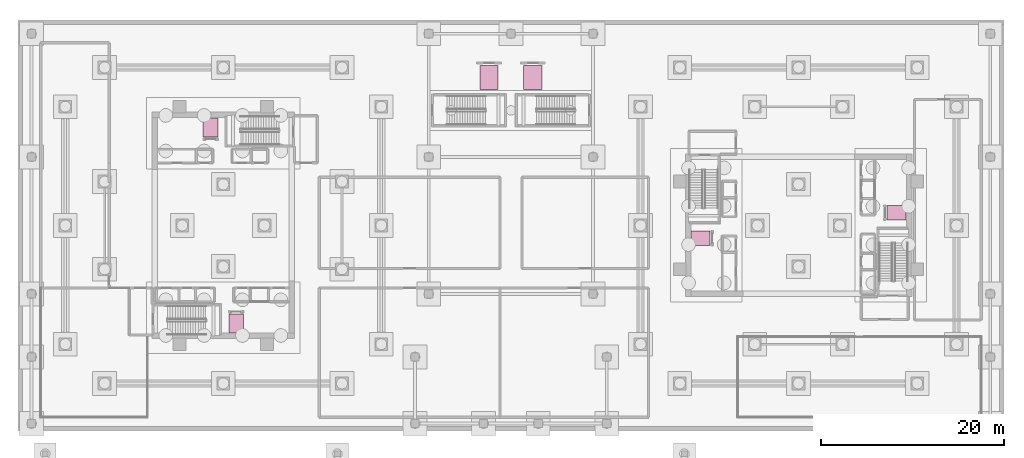
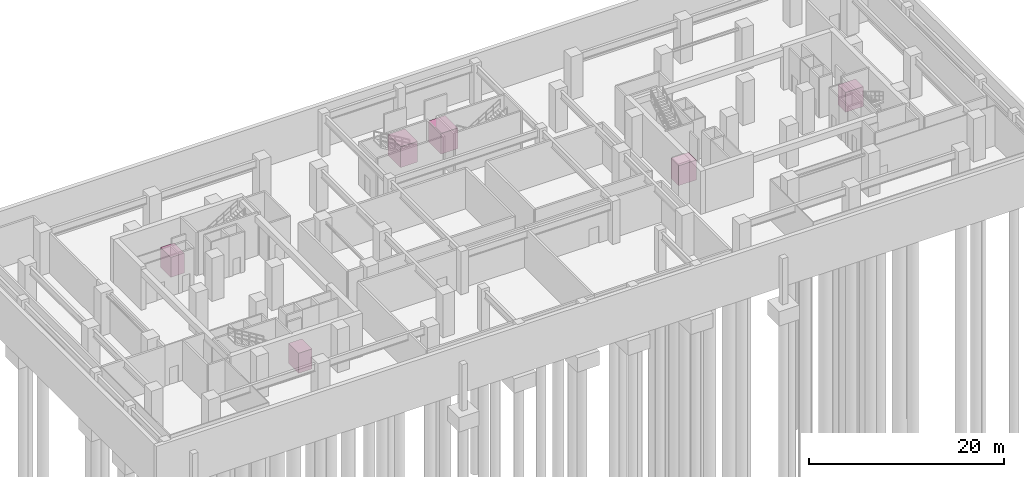
# One storey, part 14 of 14: 6 transport elements.
"""IFC4 building model written with IfcOpenShell, lengths in metres."""

from ifc_helpers import new_model, si_unit, direction, frame, origin, origin_2d, place, context, subcontext, project, spatial, rectangle, extrude, material, type_object, element, save


model = new_model("IFC4")

# Units and contexts
model_context = context("Model", 3, precision=1e-05, world=origin(), true_north=direction((0.0, 1.0)))
body_context = subcontext(model_context, "Body", "Model", "MODEL_VIEW")
ifc_project = project(units=[si_unit("LENGTHUNIT", "METRE"), si_unit("AREAUNIT", "SQUARE_METRE"), si_unit("VOLUMEUNIT", "CUBIC_METRE"), si_unit("PLANEANGLEUNIT", "RADIAN"), si_unit("MASSUNIT", "GRAM", prefix="KILO")], contexts=[model_context])

# Site, building, storey
site_placement = place(None, origin())
site = spatial("IfcSite", under=ifc_project, at=site_placement, CompositionType="ELEMENT")
building_placement = place(site_placement, origin())
building = spatial("IfcBuilding", under=site, at=building_placement, Name="Thornwick Lancets Civic Towers", CompositionType="ELEMENT")
storey_placement = place(building_placement, frame((0.0, 0.0, -5.39990234375)))
storey = spatial("IfcBuildingStorey", under=building, at=storey_placement, Name="B01", CompositionType="ELEMENT", Elevation=-5.39990234375)

# Transport elements
ifc_material_1 = material(Name="Stainless steel S355", Category="steel")
transport_element_type_1 = type_object("IfcTransportElementType", Name="LIFT_FF_1600", PredefinedType="ELEVATOR", material=ifc_material_1)
transport_element_1_placement = place(storey_placement, frame((26.89990234375, 16.27490234375, 0.0), z_axis=(0.0, 0.0, 1.0), x_axis=(1.0, 0.0, 0.0)))
element("IfcTransportElement", 1, at=transport_element_1_placement, inside=storey, type_object=transport_element_type_1, Name="Elevator FL-A1", PredefinedType="ELEVATOR", context=body_context, shape_type="SweptSolid", body=[
    extrude(rectangle(XDim=1.60009765625, YDim=2.10009765625, at=origin_2d()), origin(), (0.0, 0.0, 1.0), 2.5),
])
transport_element_2_placement = place(storey_placement, frame((99.22509765625, 28.39990234375, 0.0), z_axis=(0.0, 0.0, 1.0), x_axis=(1.0, 0.0, 0.0)))
element("IfcTransportElement", 2, at=transport_element_2_placement, inside=storey, type_object=transport_element_type_1, Name="Elevator FL-B1", PredefinedType="ELEVATOR", context=body_context, shape_type="SweptSolid", body=[
    extrude(rectangle(XDim=2.10009765625, YDim=1.60009765625, at=origin_2d()), origin(), (0.0, 0.0, 1.0), 2.5),
])
transport_element_3_placement = place(storey_placement, frame((24.10009765625, 37.72509765625, 0.0), z_axis=(0.0, 0.0, 1.0), x_axis=(1.0, 0.0, 0.0)))
element("IfcTransportElement", 3, at=transport_element_3_placement, inside=storey, type_object=transport_element_type_1, Name="Elevator FL-A2", PredefinedType="ELEVATOR", context=body_context, shape_type="SweptSolid", body=[
    extrude(rectangle(XDim=1.60009765625, YDim=2.10009765625, at=origin_2d()), origin(), (0.0, 0.0, 1.0), 2.5),
])
transport_element_4_placement = place(storey_placement, frame((77.77490234375, 25.60009765625, 0.0), z_axis=(0.0, 0.0, 1.0), x_axis=(1.0, 0.0, 0.0)))
element("IfcTransportElement", 4, at=transport_element_4_placement, inside=storey, type_object=transport_element_type_1, Name="Elevator FL-B2", PredefinedType="ELEVATOR", context=body_context, shape_type="SweptSolid", body=[
    extrude(rectangle(XDim=2.10009765625, YDim=1.60009765625, at=origin_2d()), origin(), (0.0, 0.0, 1.0), 2.5),
])
ifc_material_2 = material(Name="Heavy-duty stainless steel S355", Category="steel")
transport_element_type_2 = type_object("IfcTransportElementType", Name="LIFT_GOODS_2500", PredefinedType="ELEVATOR", material=ifc_material_2)
for number, where, z_axis, x_axis, name in (
    (5, (54.60009765625, 43.199951171875, -0.000244140625), (0.0, 0.0, 1.0), (1.0, 0.0, 0.0), "Elevator GL-P1"),
    (6, (59.39990234375, 43.199951171875, -0.000244140625), (0.0, 0.0, 1.0), (1.0, 0.0, 0.0), "Elevator GL-P2"),
):
    element("IfcTransportElement", number, at=place(storey_placement, frame(where, z_axis=z_axis, x_axis=x_axis)), inside=storey, type_object=transport_element_type_2, Name=name, PredefinedType="ELEVATOR", context=body_context, shape_type="SweptSolid", body=[
        extrude(rectangle(XDim=2.0, YDim=2.60009765625, at=origin_2d()), origin(), (0.0, 0.0, 1.0), 2.60009765625),
    ])

save(model, "model.ifc")
